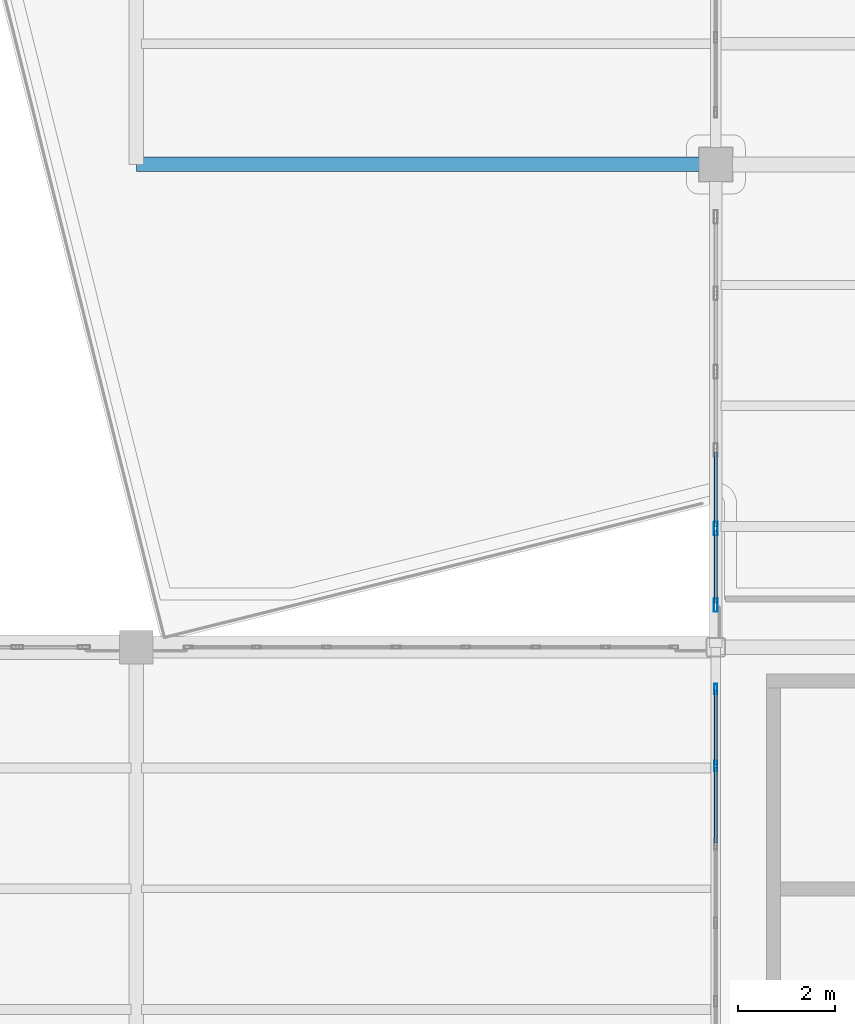
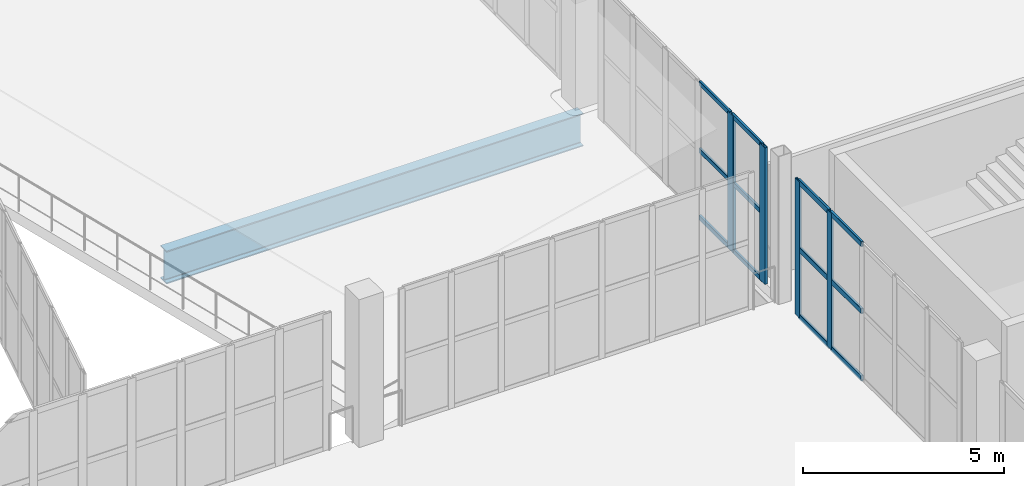
# One storey, part 27 of 108: 16 members, 1 beam, 2 elements without a shape of their own.
"""IFC4 building model written with IfcOpenShell, lengths in metres."""

import ifcopenshell
import ifcopenshell.guid

model = None  # the IFC model being written
_history = None  # IfcOwnerHistory: only IFC2X3 demands one
_inside = {}  # id of a spatial element -> (the spatial element, [elements in it])
_under = {}  # id of a project, library or spatial element -> (it, [spatial elements below it])
_declared = {}  # id of a project -> (the project, [libraries it declares])
_typed = {}  # id of a type object -> (the type object, [elements of that type])
_made_of = {}  # id of a material, layer set ... -> (it, [elements and type objects made of it])


def new_model(schema):
    """Start an empty IFC model of exactly this schema.

    Asked for "IFC4X3", IfcOpenShell would pick the latest addendum, in which some entities
    have other attributes; the version numbers below select the first issue.
    IFC2X3 requires an IfcOwnerHistory on every rooted entity: one is made here for all.
    """
    global model, _history
    if schema == "IFC4X3":
        model = ifcopenshell.file(schema_version=(4, 3, 0, 0))
    else:
        model = ifcopenshell.file(schema=schema)
    _inside.clear()
    _under.clear()
    _declared.clear()
    _typed.clear()
    _made_of.clear()
    _history = None
    if model.schema == "IFC2X3":
        org = make("IfcOrganization", Name="unknown")
        user = make(
            "IfcPersonAndOrganization",
            ThePerson=make("IfcPerson", FamilyName="unknown"),
            TheOrganization=org,
        )
        app = make(
            "IfcApplication",
            ApplicationDeveloper=org,
            Version="unknown",
            ApplicationFullName="unknown",
            ApplicationIdentifier="unknown",
        )
        _history = make(
            "IfcOwnerHistory",
            OwningUser=user,
            OwningApplication=app,
            ChangeAction="ADDED",
            CreationDate=0,
        )
    return model


def make(cls, **values):
    """One entity of the class cls with the attributes given. An attribute that is None is left unset."""
    return model.create_entity(
        cls, **{name: value for name, value in values.items() if value is not None}
    )


def rooted(cls, **values):
    """An entity with a GlobalId (a new one), such as an element, a storey or a relation."""
    return make(cls, GlobalId=ifcopenshell.guid.new(), OwnerHistory=_history, **values)


def si_unit(unit_type, name, prefix=None):
    """IfcSIUnit, for example si_unit("LENGTHUNIT", "METRE", prefix="MILLI")."""
    return make("IfcSIUnit", UnitType=unit_type, Prefix=prefix, Name=name)


def assignment(units):
    """IfcUnitAssignment: the units of a project."""
    return None if units is None else make("IfcUnitAssignment", Units=units)


def point(xyz):
    """IfcCartesianPoint."""
    return None if xyz is None else make("IfcCartesianPoint", Coordinates=xyz)


def direction(xyz):
    """IfcDirection."""
    return None if xyz is None else make("IfcDirection", DirectionRatios=xyz)


def frame(location, z_axis=None, x_axis=None):
    """IfcAxis2Placement3D, a coordinate frame: its origin and axes. An axis left out is left unset."""
    return make(
        "IfcAxis2Placement3D",
        Location=point(location),
        Axis=direction(z_axis),
        RefDirection=direction(x_axis),
    )


def frame_2d(location, x_axis=None):
    """IfcAxis2Placement2D, a coordinate frame in the plane: its origin and x axis."""
    return make(
        "IfcAxis2Placement2D", Location=point(location), RefDirection=direction(x_axis)
    )


def origin():
    """The frame at (0, 0, 0) with its axes left unset."""
    return frame((0.0, 0.0, 0.0))


def origin_2d():
    """The frame at (0, 0) in the plane with its x axis left unset."""
    return frame_2d((0.0, 0.0))


def place(relative_to, where):
    """IfcLocalPlacement: puts the frame where relative to a parent placement (None: the world)."""
    return make(
        "IfcLocalPlacement", PlacementRelTo=relative_to, RelativePlacement=where
    )


def context(
    kind, dimensions, precision=None, world=None, true_north=None, identifier=None
):
    """IfcGeometricRepresentationContext, for example the 3D "Model" context."""
    return make(
        "IfcGeometricRepresentationContext",
        ContextIdentifier=identifier,
        ContextType=kind,
        CoordinateSpaceDimension=dimensions,
        Precision=precision,
        WorldCoordinateSystem=world,
        TrueNorth=true_north,
    )


def subcontext(parent, identifier, kind, view, scale=None):
    """IfcGeometricRepresentationSubContext, for example "Body" below "Model"."""
    return make(
        "IfcGeometricRepresentationSubContext",
        ContextIdentifier=identifier,
        ContextType=kind,
        ParentContext=parent,
        TargetScale=scale,
        TargetView=view,
    )


def project(units=None, contexts=None):
    """IfcProject with its units and contexts."""
    return rooted(
        "IfcProject",
        Name="project",
        RepresentationContexts=contexts,
        UnitsInContext=assignment(units),
    )


def spatial(cls, under=None, at=None, **own):
    """A site, building, storey or space (cls), placed at a placement, below another one or the project."""
    s = rooted(cls, ObjectPlacement=at, **own)
    if under is not None:
        _under.setdefault(under.id(), (under, []))[1].append(s)
    return s


def profile(cls, at=None, kind="AREA", **sizes):
    """A parametric profile (cls). Its sizes go by their IFC names, for example OverallWidth=200.0."""
    return make(cls, ProfileType=kind, Position=at, **sizes)


def hollow_rectangle(**sizes):
    """IfcRectangleHollowProfileDef."""
    return profile("IfcRectangleHollowProfileDef", **sizes)


def i_section(**sizes):
    """IfcIShapeProfileDef."""
    return profile("IfcIShapeProfileDef", **sizes)


def extrude(swept, where, along, depth):
    """IfcExtrudedAreaSolid: the profile swept, set in the frame where, extruded along a direction by depth."""
    return make(
        "IfcExtrudedAreaSolid",
        SweptArea=swept,
        Position=where,
        ExtrudedDirection=direction(along),
        Depth=depth,
    )


def shape(context_of_items, identifier, shape_type, items):
    """IfcShapeRepresentation: the items that make up one representation, for example the "Body"."""
    return make(
        "IfcShapeRepresentation",
        ContextOfItems=context_of_items,
        RepresentationIdentifier=identifier,
        RepresentationType=shape_type,
        Items=items,
    )


def material(Name=None, Category=None):
    """IfcMaterial."""
    return make("IfcMaterial", Name=Name, Category=Category)


def layer(
    of_material, thickness, ventilated=None, Name=None, Category=None, Priority=None
):
    """IfcMaterialLayer: one layer of a wall or slab, of a material (None: an air gap)."""
    return make(
        "IfcMaterialLayer",
        Material=of_material,
        LayerThickness=thickness,
        IsVentilated=ventilated,
        Name=Name,
        Category=Category,
        Priority=Priority,
    )


def layer_set(layers, Name=None):
    """IfcMaterialLayerSet."""
    return make("IfcMaterialLayerSet", MaterialLayers=layers, LayerSetName=Name)


def material_profile(
    of_material, cross_section, Name=None, Category=None, Priority=None
):
    """IfcMaterialProfile: a cross section and its material."""
    return make(
        "IfcMaterialProfile",
        Name=Name,
        Material=of_material,
        Profile=cross_section,
        Priority=Priority,
        Category=Category,
    )


def profile_set(profiles, Name=None, composite=None):
    """IfcMaterialProfileSet."""
    return make(
        "IfcMaterialProfileSet",
        Name=Name,
        MaterialProfiles=profiles,
        CompositeProfile=composite,
    )


def made_of(thing, what):
    """Note that an element or type object is made of a material, layer set ...; save() writes the relation."""
    if what is not None:
        _made_of.setdefault(what.id(), (what, []))[1].append(thing)
    return thing


def type_object(cls, material=None, **own):
    """A type object (cls), such as IfcWallType, which elements share."""
    return made_of(rooted(cls, **own), material)


def element(
    cls,
    number,
    at=None,
    inside=None,
    cuts=None,
    type_object=None,
    material=None,
    context=None,
    identifier="Body",
    shape_type=None,
    held_by="IfcProductDefinitionShape",
    body=None,
    shapes=None,
    **own,
):
    """One element of the class cls, such as IfcWall. Its Tag is "e" and its number.

    at: its placement. inside: the storey or other place that contains it. cuts: it is an
    opening in that element (IfcRelVoidsElement). A single representation is given by context,
    identifier, shape_type and body (its items); several are given by shapes. held_by: the class
    of the entity that holds the representations. save() writes the other relations.
    """
    e = rooted(cls, Tag="e%d" % number, ObjectPlacement=at, **own)
    if body is not None:
        shapes = [shape(context, identifier, shape_type, body)]
    if shapes is not None:
        e.Representation = make(held_by, Representations=shapes)
    if inside is not None:
        _inside.setdefault(inside.id(), (inside, []))[1].append(e)
    if cuts is not None:
        rooted(
            "IfcRelVoidsElement", RelatingBuildingElement=cuts, RelatedOpeningElement=e
        )
    if type_object is not None:
        _typed.setdefault(type_object.id(), (type_object, []))[1].append(e)
    return made_of(e, material)


def aggregate(whole, parts):
    """IfcRelAggregates: a whole, such as a stair, and the parts it consists of."""
    return rooted("IfcRelAggregates", RelatingObject=whole, RelatedObjects=parts)


def save(model, path):
    """Write the relations noted so far, then the file.

    IfcRelAggregates (storeys below a building ...), IfcRelContainedInSpatialStructure (elements
    in a storey), IfcRelDefinesByType, IfcRelAssociatesMaterial and IfcRelDeclares: one each for
    every whole, place, type object, material and project.
    """
    for whole, parts in _under.values():
        aggregate(whole, parts)
    for where, things in _inside.values():
        rooted(
            "IfcRelContainedInSpatialStructure",
            RelatedElements=things,
            RelatingStructure=where,
        )
    for kind, things in _typed.values():
        rooted("IfcRelDefinesByType", RelatedObjects=things, RelatingType=kind)
    for what, things in _made_of.values():
        rooted("IfcRelAssociatesMaterial", RelatedObjects=things, RelatingMaterial=what)
    for by, libraries in _declared.values():
        rooted("IfcRelDeclares", RelatingContext=by, RelatedDefinitions=libraries)
    model.write(path)


model = new_model("IFC4")

# Units and contexts
model_context = context("Model", 3, precision=1e-05, world=origin(), true_north=direction((0.0, 1.0)))
body_context = subcontext(model_context, "Body", "Model", "MODEL_VIEW")
ifc_project = project(units=[si_unit("LENGTHUNIT", "METRE"), si_unit("AREAUNIT", "SQUARE_METRE"), si_unit("VOLUMEUNIT", "CUBIC_METRE"), si_unit("PLANEANGLEUNIT", "RADIAN"), si_unit("MASSUNIT", "GRAM", prefix="KILO")], contexts=[model_context])

# Site, building, storey
site_placement = place(None, origin())
site = spatial("IfcSite", under=ifc_project, at=site_placement, CompositionType="ELEMENT")
building_placement = place(site_placement, origin())
building = spatial("IfcBuilding", under=site, at=building_placement, Name="Brinegate Civic Arena", CompositionType="ELEMENT")
storey_placement = place(building_placement, frame((0.0, 0.0, 10.199951171875)))
storey = spatial("IfcBuildingStorey", under=building, at=storey_placement, Name="L02", CompositionType="ELEMENT", Elevation=10.199951171875)

# Curtain wall, members
ifc_material_1 = material(Name="Marine grade aluminium", Category="aluminium")
ifc_layer = layer(ifc_material_1, 0.199951171875, Name="Marine grade aluminium")
ifc_layer_set = layer_set([ifc_layer], Name="Marine grade aluminium")
curtain_wall_type = type_object("IfcCurtainWallType", Name="CW-BOWL-GLAZED-01", PredefinedType="USERDEFINED", material=ifc_layer_set)
curtain_wall_1_placement = place(storey_placement, origin())
curtain_wall_1 = element("IfcCurtainWall", 1, at=curtain_wall_1_placement, inside=storey, type_object=curtain_wall_type, Name="Curtain Wall CWA-081", ObjectType="GLAZED CURTAIN WALL", PredefinedType="USERDEFINED")
ifc_material_profile_1 = material_profile(ifc_material_1, hollow_rectangle(XDim=0.06494140625, YDim=0.219970703125, WallThickness=0.006103515625, InnerFilletRadius=0.00390625, OuterFilletRadius=0.008056640625, at=origin_2d()), Name="MUL65X220")
ifc_profile_set_1 = profile_set([ifc_material_profile_1], Name="Marine grade aluminium")
member_type_1 = type_object("IfcMemberType", Name="CW-MULLION-65X220", PredefinedType="MULLION", material=ifc_profile_set_1)
member_1_placement = place(storey_placement, frame((48.0, 49.54248046875, 0.0), z_axis=(0.0, 0.0, 1.0), x_axis=(-1.0, 0.0, 0.0)))
member_1 = element("IfcMember", 2, at=member_1_placement, type_object=member_type_1, Name="CWA-081 mullion 5", PredefinedType="MULLION", context=body_context, shape_type="SweptSolid", body=[
    extrude(hollow_rectangle(XDim=0.06494140625, YDim=0.219970703125, WallThickness=0.006103515625, InnerFilletRadius=0.00390625, OuterFilletRadius=0.008056640625, at=origin_2d()), origin(), (0.0, 0.0, 1.0), 4.150146484375),
])
member_2_placement = place(storey_placement, frame((48.0, 51.134521484375, 0.0), z_axis=(0.0, 0.0, 1.0), x_axis=(-1.0, 0.0, 0.0)))
member_2 = element("IfcMember", 3, at=member_2_placement, type_object=member_type_1, Name="CWA-081 mullion 6", PredefinedType="MULLION", context=body_context, shape_type="SweptSolid", body=[
    extrude(hollow_rectangle(XDim=0.06494140625, YDim=0.219970703125, WallThickness=0.006103515625, InnerFilletRadius=0.00390625, OuterFilletRadius=0.008056640625, at=origin_2d()), origin(), (0.0, 0.0, 1.0), 4.150146484375),
])

curtain_wall_2_placement = place(storey_placement, origin())
curtain_wall_2 = element("IfcCurtainWall", 4, at=curtain_wall_2_placement, inside=storey, type_object=curtain_wall_type, Name="Curtain Wall CWA-083", ObjectType="GLAZED CURTAIN WALL", PredefinedType="USERDEFINED")
ifc_material_profile_2 = material_profile(ifc_material_1, hollow_rectangle(XDim=0.080078125, YDim=0.280029296875, WallThickness=0.007080078125, InnerFilletRadius=0.0048828125, OuterFilletRadius=0.010009765625, at=origin_2d()), Name="MUL80X280")
ifc_profile_set_2 = profile_set([ifc_material_profile_2], Name="Marine grade aluminium")
member_type_2 = type_object("IfcMemberType", Name="CW-MULLION-80X280", PredefinedType="MULLION", material=ifc_profile_set_2)
member_3_placement = place(storey_placement, frame((48.0, 52.873046875, 0.0), z_axis=(0.0, 0.0, 1.0), x_axis=(-1.0, 0.0, 0.0)))
member_3 = element("IfcMember", 5, at=member_3_placement, type_object=member_type_2, Name="CWA-083 mullion 1", PredefinedType="MULLION", context=body_context, shape_type="SweptSolid", body=[
    extrude(hollow_rectangle(XDim=0.080078125, YDim=0.280029296875, WallThickness=0.007080078125, InnerFilletRadius=0.0048828125, OuterFilletRadius=0.010009765625, at=origin_2d()), origin(), (0.0, 0.0, 1.0), 4.150146484375),
])
member_4_placement = place(storey_placement, frame((48.0, 54.45751953125, 0.0), z_axis=(0.0, 0.0, 1.0), x_axis=(-1.0, 0.0, 0.0)))
member_4 = element("IfcMember", 6, at=member_4_placement, type_object=member_type_2, Name="CWA-083 mullion 2", PredefinedType="MULLION", context=body_context, shape_type="SweptSolid", body=[
    extrude(hollow_rectangle(XDim=0.080078125, YDim=0.280029296875, WallThickness=0.007080078125, InnerFilletRadius=0.0048828125, OuterFilletRadius=0.010009765625, at=origin_2d()), origin(), (0.0, 0.0, 1.0), 4.150146484375),
])
ifc_material_profile_3 = material_profile(ifc_material_1, hollow_rectangle(XDim=0.06494140625, YDim=0.139892578125, WallThickness=0.0048828125, InnerFilletRadius=0.00390625, OuterFilletRadius=0.008056640625, at=origin_2d()), Name="TRN65X140")
ifc_profile_set_3 = profile_set([ifc_material_profile_3], Name="Marine grade aluminium")
member_type_3 = type_object("IfcMemberType", Name="CW-TRANSOM-65X140", PredefinedType="USERDEFINED", material=ifc_profile_set_3)
member_5_placement = place(storey_placement, frame((48.0, 52.9130859375, 0.032470703125), z_axis=(0.0, 1.0, 0.0), x_axis=(-1.0, 0.0, 0.0)))
member_5 = element("IfcMember", 7, at=member_5_placement, type_object=member_type_3, Name="CWA-083 transom 1.1", ObjectType="TRANSOM", PredefinedType="USERDEFINED", context=body_context, shape_type="SweptSolid", body=[
    extrude(hollow_rectangle(XDim=0.06494140625, YDim=0.139892578125, WallThickness=0.0048828125, InnerFilletRadius=0.00390625, OuterFilletRadius=0.008056640625, at=origin_2d()), origin(), (0.0, 0.0, 1.0), 1.50439453125),
])
member_6_placement = place(storey_placement, frame((48.0, 52.9130859375, 2.074951171875), z_axis=(0.0, 1.0, 0.0), x_axis=(-1.0, 0.0, 0.0)))
member_6 = element("IfcMember", 8, at=member_6_placement, type_object=member_type_3, Name="CWA-083 transom 1.2", ObjectType="TRANSOM", PredefinedType="USERDEFINED", context=body_context, shape_type="SweptSolid", body=[
    extrude(hollow_rectangle(XDim=0.06494140625, YDim=0.139892578125, WallThickness=0.0048828125, InnerFilletRadius=0.00390625, OuterFilletRadius=0.008056640625, at=origin_2d()), origin(), (0.0, 0.0, 1.0), 1.50439453125),
])
member_7_placement = place(storey_placement, frame((48.0, 52.9130859375, 4.117431640625), z_axis=(0.0, 1.0, 0.0), x_axis=(-1.0, 0.0, 0.0)))
member_7 = element("IfcMember", 9, at=member_7_placement, type_object=member_type_3, Name="CWA-083 transom 1.3", ObjectType="TRANSOM", PredefinedType="USERDEFINED", context=body_context, shape_type="SweptSolid", body=[
    extrude(hollow_rectangle(XDim=0.06494140625, YDim=0.139892578125, WallThickness=0.0048828125, InnerFilletRadius=0.00390625, OuterFilletRadius=0.008056640625, at=origin_2d()), origin(), (0.0, 0.0, 1.0), 1.50439453125),
])
member_8_placement = place(storey_placement, frame((48.0, 54.497314453125, 0.032470703125), z_axis=(0.0, 1.0, 0.0), x_axis=(-1.0, 0.0, 0.0)))
member_8 = element("IfcMember", 10, at=member_8_placement, type_object=member_type_3, Name="CWA-083 transom 2.1", ObjectType="TRANSOM", PredefinedType="USERDEFINED", context=body_context, shape_type="SweptSolid", body=[
    extrude(hollow_rectangle(XDim=0.06494140625, YDim=0.139892578125, WallThickness=0.0048828125, InnerFilletRadius=0.00390625, OuterFilletRadius=0.008056640625, at=origin_2d()), origin(), (0.0, 0.0, 1.0), 1.54443359375),
])
member_9_placement = place(storey_placement, frame((48.0, 54.497314453125, 2.074951171875), z_axis=(0.0, 1.0, 0.0), x_axis=(-1.0, 0.0, 0.0)))
member_9 = element("IfcMember", 11, at=member_9_placement, type_object=member_type_3, Name="CWA-083 transom 2.2", ObjectType="TRANSOM", PredefinedType="USERDEFINED", context=body_context, shape_type="SweptSolid", body=[
    extrude(hollow_rectangle(XDim=0.06494140625, YDim=0.139892578125, WallThickness=0.0048828125, InnerFilletRadius=0.00390625, OuterFilletRadius=0.008056640625, at=origin_2d()), origin(), (0.0, 0.0, 1.0), 1.54443359375),
])
member_10_placement = place(storey_placement, frame((48.0, 54.497314453125, 4.117431640625), z_axis=(0.0, 1.0, 0.0), x_axis=(-1.0, 0.0, 0.0)))
member_10 = element("IfcMember", 12, at=member_10_placement, type_object=member_type_3, Name="CWA-083 transom 2.3", ObjectType="TRANSOM", PredefinedType="USERDEFINED", context=body_context, shape_type="SweptSolid", body=[
    extrude(hollow_rectangle(XDim=0.06494140625, YDim=0.139892578125, WallThickness=0.0048828125, InnerFilletRadius=0.00390625, OuterFilletRadius=0.008056640625, at=origin_2d()), origin(), (0.0, 0.0, 1.0), 1.54443359375),
])
aggregate(curtain_wall_2, [member_3, member_4, member_5, member_6, member_7, member_8, member_9, member_10])

# Member
ifc_material_profile_4 = material_profile(ifc_material_1, hollow_rectangle(XDim=0.06494140625, YDim=0.1650390625, WallThickness=0.0048828125, InnerFilletRadius=0.00390625, OuterFilletRadius=0.008056640625, at=origin_2d()), Name="TRN65X165")
ifc_profile_set_4 = profile_set([ifc_material_profile_4], Name="Marine grade aluminium")
member_type_4 = type_object("IfcMemberType", Name="CW-TRANSOM-65X165", PredefinedType="USERDEFINED", material=ifc_profile_set_4)
member_11_placement = place(storey_placement, frame((48.0, 47.95068359375, 0.032470703125), z_axis=(0.0, 1.0, 0.0), x_axis=(-1.0, 0.0, 0.0)))
member_11 = element("IfcMember", 13, at=member_11_placement, type_object=member_type_4, Name="CWA-081 transom 4.1", ObjectType="TRANSOM", PredefinedType="USERDEFINED", context=body_context, shape_type="SweptSolid", body=[
    extrude(hollow_rectangle(XDim=0.06494140625, YDim=0.1650390625, WallThickness=0.0048828125, InnerFilletRadius=0.00390625, OuterFilletRadius=0.008056640625, at=origin_2d()), origin(), (0.0, 0.0, 1.0), 1.559326171875),
])

member_12_placement = place(storey_placement, frame((48.0, 47.95068359375, 2.074951171875), z_axis=(0.0, 1.0, 0.0), x_axis=(-1.0, 0.0, 0.0)))
member_12 = element("IfcMember", 14, at=member_12_placement, type_object=member_type_4, Name="CWA-081 transom 4.2", ObjectType="TRANSOM", PredefinedType="USERDEFINED", context=body_context, shape_type="SweptSolid", body=[
    extrude(hollow_rectangle(XDim=0.06494140625, YDim=0.1650390625, WallThickness=0.0048828125, InnerFilletRadius=0.00390625, OuterFilletRadius=0.008056640625, at=origin_2d()), origin(), (0.0, 0.0, 1.0), 1.559326171875),
])

member_13_placement = place(storey_placement, frame((48.0, 47.95068359375, 4.117431640625), z_axis=(0.0, 1.0, 0.0), x_axis=(-1.0, 0.0, 0.0)))
member_13 = element("IfcMember", 15, at=member_13_placement, type_object=member_type_4, Name="CWA-081 transom 4.3", ObjectType="TRANSOM", PredefinedType="USERDEFINED", context=body_context, shape_type="SweptSolid", body=[
    extrude(hollow_rectangle(XDim=0.06494140625, YDim=0.1650390625, WallThickness=0.0048828125, InnerFilletRadius=0.00390625, OuterFilletRadius=0.008056640625, at=origin_2d()), origin(), (0.0, 0.0, 1.0), 1.559326171875),
])

member_14_placement = place(storey_placement, frame((48.0, 49.5751953125, 0.032470703125), z_axis=(0.0, 1.0, 0.0), x_axis=(-1.0, 0.0, 0.0)))
member_14 = element("IfcMember", 16, at=member_14_placement, type_object=member_type_4, Name="CWA-081 transom 5.1", ObjectType="TRANSOM", PredefinedType="USERDEFINED", context=body_context, shape_type="SweptSolid", body=[
    extrude(hollow_rectangle(XDim=0.06494140625, YDim=0.1650390625, WallThickness=0.0048828125, InnerFilletRadius=0.00390625, OuterFilletRadius=0.008056640625, at=origin_2d()), origin(), (0.0, 0.0, 1.0), 1.52685546875),
])

member_15_placement = place(storey_placement, frame((48.0, 49.5751953125, 2.074951171875), z_axis=(0.0, 1.0, 0.0), x_axis=(-1.0, 0.0, 0.0)))
member_15 = element("IfcMember", 17, at=member_15_placement, type_object=member_type_4, Name="CWA-081 transom 5.2", ObjectType="TRANSOM", PredefinedType="USERDEFINED", context=body_context, shape_type="SweptSolid", body=[
    extrude(hollow_rectangle(XDim=0.06494140625, YDim=0.1650390625, WallThickness=0.0048828125, InnerFilletRadius=0.00390625, OuterFilletRadius=0.008056640625, at=origin_2d()), origin(), (0.0, 0.0, 1.0), 1.52685546875),
])

member_16_placement = place(storey_placement, frame((48.0, 49.5751953125, 4.117431640625), z_axis=(0.0, 1.0, 0.0), x_axis=(-1.0, 0.0, 0.0)))
member_16 = element("IfcMember", 18, at=member_16_placement, type_object=member_type_4, Name="CWA-081 transom 5.3", ObjectType="TRANSOM", PredefinedType="USERDEFINED", context=body_context, shape_type="SweptSolid", body=[
    extrude(hollow_rectangle(XDim=0.06494140625, YDim=0.1650390625, WallThickness=0.0048828125, InnerFilletRadius=0.00390625, OuterFilletRadius=0.008056640625, at=origin_2d()), origin(), (0.0, 0.0, 1.0), 1.52685546875),
])

aggregate(curtain_wall_1, [member_1, member_2, member_11, member_12, member_13, member_14, member_15, member_16])

# Beam
ifc_material_2 = material(Name="Steel S355", Category="steel")
ifc_material_profile_5 = material_profile(ifc_material_2, i_section(OverallWidth=0.300048828125, OverallDepth=1.0, WebThickness=0.01904296875, FlangeThickness=0.031982421875, FilletRadius=0.02392578125, at=origin_2d()), Name="W1000X321")
ifc_profile_set_5 = profile_set([ifc_material_profile_5], Name="Steel S355")
beam_type = type_object("IfcBeamType", Name="GIRDER-W1000X321", PredefinedType="BEAM", material=ifc_profile_set_5)
beam_placement = place(storey_placement, frame((36.0, 62.0, -0.829833984375), z_axis=(1.0, 0.0, 0.0), x_axis=(0.0, 1.0, 0.0)))
element("IfcBeam", 19, at=beam_placement, inside=storey, type_object=beam_type, Name="Floor Girder BM-L02-GX-03-06", PredefinedType="BEAM", context=body_context, shape_type="SweptSolid", body=[
    extrude(i_section(OverallWidth=0.300048828125, OverallDepth=1.0, WebThickness=0.01904296875, FlangeThickness=0.031982421875, FilletRadius=0.02392578125, at=origin_2d()), origin(), (0.0, 0.0, 1.0), 12.0),
])

save(model, "model.ifc")
